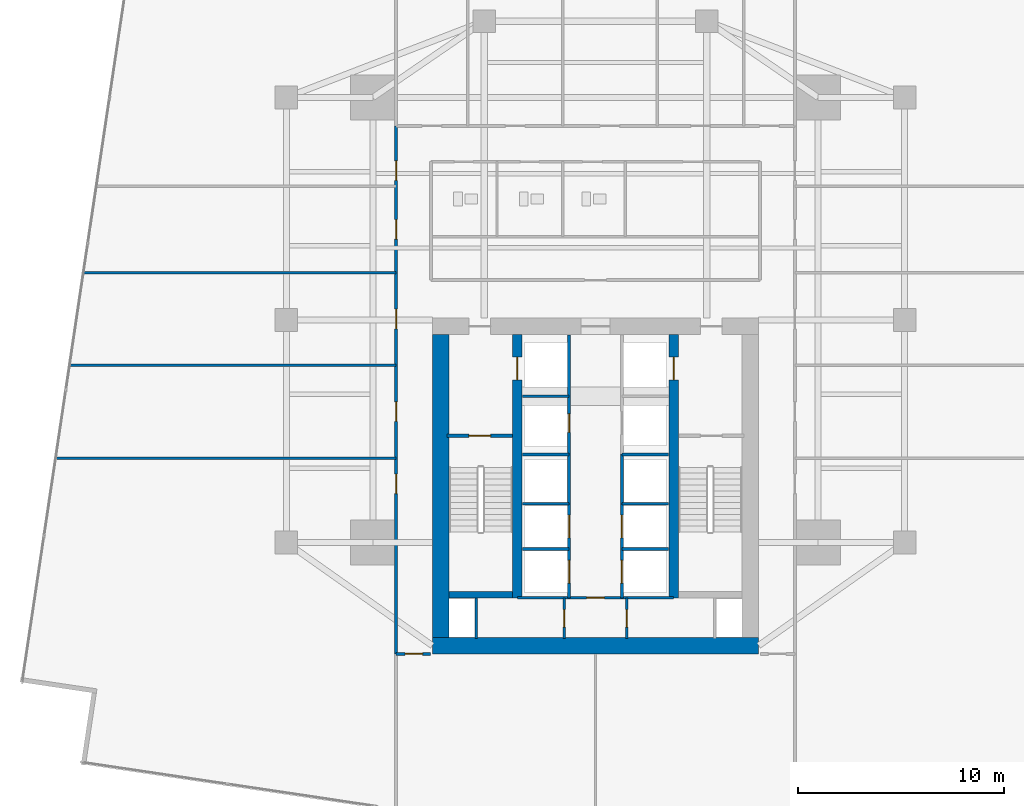
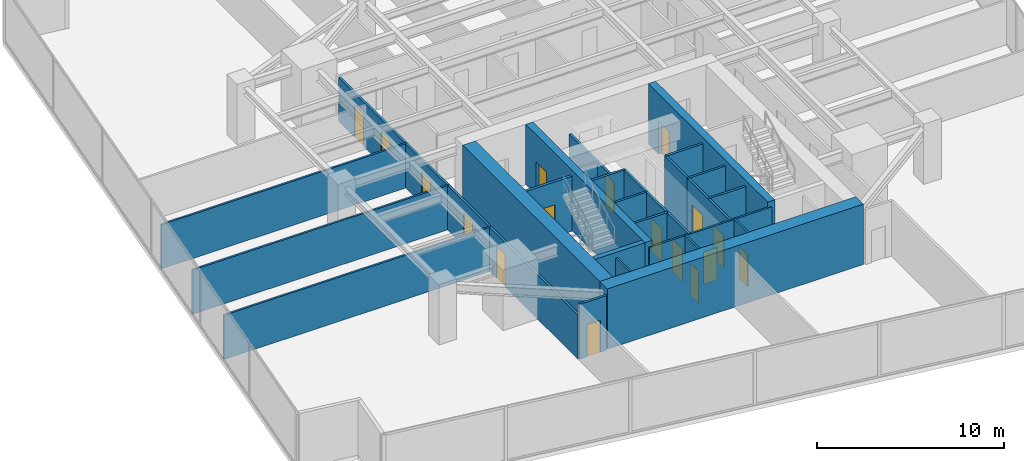
# One storey, part 25 of 29: 27 walls, 17 doors, 17 openings.
"""IFC4 building model written with IfcOpenShell, lengths in metres."""

from ifc_helpers import new_model, si_unit, direction, frame, frame_2d, origin, place, context, subcontext, project, spatial, rectangle, extrude, material, layer, layer_set, type_object, element, fill, save


model = new_model("IFC4")

# Units and contexts
model_context = context("Model", 3, precision=1e-05, world=origin(), true_north=direction((0.0, 1.0)))
body_context = subcontext(model_context, "Body", "Model", "MODEL_VIEW")
ifc_project = project(units=[si_unit("LENGTHUNIT", "METRE"), si_unit("AREAUNIT", "SQUARE_METRE"), si_unit("VOLUMEUNIT", "CUBIC_METRE"), si_unit("PLANEANGLEUNIT", "RADIAN"), si_unit("MASSUNIT", "GRAM", prefix="KILO")], contexts=[model_context])

# Site, building, storey
site_placement = place(None, origin())
site = spatial("IfcSite", under=ifc_project, at=site_placement, CompositionType="ELEMENT")
building_placement = place(site_placement, origin())
building = spatial("IfcBuilding", under=site, at=building_placement, Name="Krantzveldt Concourse Tower", CompositionType="ELEMENT")
storey_placement = place(building_placement, frame((0.0, 0.0, 76.35009765625)))
storey = spatial("IfcBuildingStorey", under=building, at=storey_placement, Name="L18", CompositionType="ELEMENT", Elevation=76.35009765625)

# Wall, opening, door
ifc_material_1 = material(Name="Fire-rated gypsum plasterboard on steel stud", Category="steel")
ifc_layer_1 = layer(ifc_material_1, 0.1201171875, Name="Fire-rated gypsum plasterboard on steel stud", Category="steel")
ifc_layer_set_1 = layer_set([ifc_layer_1], Name="Fire-rated gypsum plasterboard on steel stud (WL-PART-120)")
wall_type_1 = type_object("IfcWallType", Name="WL-PART-120", PredefinedType="PARTITIONING", material=ifc_layer_set_1)
wall_1_placement = place(storey_placement, frame((32.2099609375, 13.219970703125, 0.0), z_axis=(0.0, 0.0, 1.0), x_axis=(1.0, 0.0, 0.0)))
wall_1 = element("IfcWall", 1, at=wall_1_placement, inside=storey, type_object=wall_type_1, Name="WP-L18-CS2H", PredefinedType="PARTITIONING", context=body_context, shape_type="SweptSolid", body=[
    extrude(rectangle(XDim=7.580078125, YDim=0.1201171875, at=frame_2d((3.7900390625, 0.0))), origin(), (0.0, 0.0, 1.0), 3.58984375),
])
opening_1_placement = place(wall_1_placement, frame((3.364990234375, 0.0, 0.0)))
opening_1 = element("IfcOpeningElement", 2, at=opening_1_placement, cuts=wall_1, Name="Opening D-IN085", PredefinedType="OPENING", context=body_context, shape_type="SweptSolid", body=[
    extrude(rectangle(XDim=0.85009765625, YDim=2.10009765625, at=frame_2d((0.425048828125, 1.050048828125))), frame((0.0, 0.070068359375, 0.0), z_axis=(0.0, -1.0, 0.0), x_axis=(1.0, 0.0, 0.0)), (0.0, 0.0, 1.0), 0.14013671875),
])
ifc_material_2 = material(Name="Hardwood timber", Category="wood")
door_type_1 = type_object("IfcDoorType", Name="DR-INT-850", OperationType="SINGLE_SWING_LEFT", PredefinedType="DOOR", material=ifc_material_2)
door_1_placement = place(opening_1_placement, origin())
door_1 = element("IfcDoor", 3, at=door_1_placement, inside=storey, type_object=door_type_1, Name="DR-L18-LLBS", OperationType="SINGLE_SWING_RIGHT", OverallHeight=2.10009765625, OverallWidth=0.85009765625, PredefinedType="DOOR", context=body_context, shape_type="SweptSolid", body=[
    extrude(rectangle(XDim=0.85009765625, YDim=2.10009765625, at=frame_2d((0.425048828125, 1.050048828125))), frame((0.0, 0.02490234375, 0.0), z_axis=(0.0, -1.0, 0.0), x_axis=(1.0, 0.0, 0.0)), (0.0, 0.0, 1.0), 0.050048828125),
])
fill(opening_1, door_1)

wall_2_placement = place(storey_placement, frame((34.47998046875, 11.25, 0.0), z_axis=(0.0, 0.0, 1.0), x_axis=(0.0, 1.0, 0.0)))
wall_2 = element("IfcWall", 4, at=wall_2_placement, inside=storey, type_object=wall_type_1, Name="WP-L18-CSB-VL", PredefinedType="PARTITIONING", context=body_context, shape_type="SweptSolid", body=[
    extrude(rectangle(XDim=1.969970703125, YDim=0.1201171875, at=frame_2d((0.98486328125, 0.0))), origin(), (0.0, 0.0, 1.0), 3.58984375),
])
opening_2_placement = place(wall_2_placement, frame((0.544921875, 0.0, 0.0)))
opening_2 = element("IfcOpeningElement", 5, at=opening_2_placement, cuts=wall_2, Name="Opening D-IN085", PredefinedType="OPENING", context=body_context, shape_type="SweptSolid", body=[
    extrude(rectangle(XDim=0.85009765625, YDim=2.10009765625, at=frame_2d((0.425048828125, 1.050048828125))), frame((0.0, 0.070068359375, 0.0), z_axis=(0.0, -1.0, 0.0), x_axis=(1.0, 0.0, 0.0)), (0.0, 0.0, 1.0), 0.14013671875),
])
door_2_placement = place(opening_2_placement, origin())
door_2 = element("IfcDoor", 6, at=door_2_placement, inside=storey, type_object=door_type_1, Name="DR-L18-CSB1", OperationType="SINGLE_SWING_LEFT", OverallHeight=2.10009765625, OverallWidth=0.85009765625, PredefinedType="DOOR", context=body_context, shape_type="SweptSolid", body=[
    extrude(rectangle(XDim=0.85009765625, YDim=2.10009765625, at=frame_2d((0.425048828125, 1.050048828125))), frame((0.0, 0.02490234375, 0.0), z_axis=(0.0, -1.0, 0.0), x_axis=(1.0, 0.0, 0.0)), (0.0, 0.0, 1.0), 0.050048828125),
])
fill(opening_2, door_2)

wall_3_placement = place(storey_placement, frame((37.52001953125, 11.25, 0.0), z_axis=(0.0, 0.0, 1.0), x_axis=(0.0, 1.0, 0.0)))
wall_3 = element("IfcWall", 7, at=wall_3_placement, inside=storey, type_object=wall_type_1, Name="WP-L18-CSB-VR", PredefinedType="PARTITIONING", context=body_context, shape_type="SweptSolid", body=[
    extrude(rectangle(XDim=1.969970703125, YDim=0.1201171875, at=frame_2d((0.98486328125, 0.0))), origin(), (0.0, 0.0, 1.0), 3.58984375),
])
opening_3_placement = place(wall_3_placement, frame((0.544921875, 0.0, 0.0)))
opening_3 = element("IfcOpeningElement", 8, at=opening_3_placement, cuts=wall_3, Name="Opening D-IN085", PredefinedType="OPENING", context=body_context, shape_type="SweptSolid", body=[
    extrude(rectangle(XDim=0.85009765625, YDim=2.10009765625, at=frame_2d((0.425048828125, 1.050048828125))), frame((0.0, 0.070068359375, 0.0), z_axis=(0.0, -1.0, 0.0), x_axis=(1.0, 0.0, 0.0)), (0.0, 0.0, 1.0), 0.14013671875),
])
door_3_placement = place(opening_3_placement, origin())
door_3 = element("IfcDoor", 9, at=door_3_placement, inside=storey, type_object=door_type_1, Name="DR-L18-CSB2", OperationType="SINGLE_SWING_RIGHT", OverallHeight=2.10009765625, OverallWidth=0.85009765625, PredefinedType="DOOR", context=body_context, shape_type="SweptSolid", body=[
    extrude(rectangle(XDim=0.85009765625, YDim=2.10009765625, at=frame_2d((0.425048828125, 1.050048828125))), frame((0.0, 0.02490234375, 0.0), z_axis=(0.0, -1.0, 0.0), x_axis=(1.0, 0.0, 0.0)), (0.0, 0.0, 1.0), 0.050048828125),
])
fill(opening_3, door_3)

# Walls
wall_4_placement = place(storey_placement, frame((9.81201171875, 20.0, 0.0), z_axis=(0.0, 0.0, 1.0), x_axis=(1.0, 0.0, 0.0)))
element("IfcWall", 10, at=wall_4_placement, inside=storey, type_object=wall_type_1, Name="WP-L18-WD1", PredefinedType="PARTITIONING", context=body_context, shape_type="SweptSolid", body=[
    extrude(rectangle(XDim=16.508056640625, YDim=0.1201171875, at=frame_2d((8.25390625, 0.0))), origin(), (0.0, 0.0, 1.0), 2.889892578125),
])
wall_5_placement = place(storey_placement, frame((10.484619140625, 24.5, 0.0), z_axis=(0.0, 0.0, 1.0), x_axis=(1.0, 0.0, 0.0)))
element("IfcWall", 11, at=wall_5_placement, inside=storey, type_object=wall_type_1, Name="WP-L18-WD2", PredefinedType="PARTITIONING", context=body_context, shape_type="SweptSolid", body=[
    extrude(rectangle(XDim=15.83544921875, YDim=0.1201171875, at=frame_2d((7.917724609375, 0.0))), origin(), (0.0, 0.0, 1.0), 2.889892578125),
])
wall_6_placement = place(storey_placement, frame((11.156982421875, 29.0, 0.0), z_axis=(0.0, 0.0, 1.0), x_axis=(1.0, 0.0, 0.0)))
element("IfcWall", 12, at=wall_6_placement, inside=storey, type_object=wall_type_1, Name="WP-L18-WD3", PredefinedType="PARTITIONING", context=body_context, shape_type="SweptSolid", body=[
    extrude(rectangle(XDim=15.1630859375, YDim=0.1201171875, at=frame_2d((7.58154296875, 0.0))), origin(), (0.0, 0.0, 1.0), 2.889892578125),
])

# Wall, openings, doors
ifc_layer_2 = layer(ifc_material_1, 0.139892578125, Name="Fire-rated gypsum plasterboard on steel stud", Category="steel")
ifc_layer_set_2 = layer_set([ifc_layer_2], Name="Fire-rated gypsum plasterboard on steel stud (WL-PART-140)")
wall_type_2 = type_object("IfcWallType", Name="WL-PART-140", PredefinedType="PARTITIONING", material=ifc_layer_set_2)
wall_7_placement = place(storey_placement, frame((26.320068359375, 10.5, 0.0), z_axis=(0.0, 0.0, 1.0), x_axis=(0.0, 1.0, 0.0)))
wall_7 = element("IfcWall", 13, at=wall_7_placement, inside=storey, type_object=wall_type_2, Name="WP-L18-CWEST", PredefinedType="PARTITIONING", context=body_context, shape_type="SweptSolid", body=[
    extrude(rectangle(XDim=25.6201171875, YDim=0.139892578125, at=frame_2d((12.81005859375, 0.0))), origin(), (0.0, 0.0, 1.0), 2.889892578125),
])
opening_4_placement = place(wall_7_placement, frame((7.77490234375, 0.0, 0.0)))
opening_4 = element("IfcOpeningElement", 14, at=opening_4_placement, cuts=wall_7, Name="Opening D-IN095", PredefinedType="OPENING", context=body_context, shape_type="SweptSolid", body=[
    extrude(rectangle(XDim=0.949951171875, YDim=2.10009765625, at=frame_2d((0.47509765625, 1.050048828125))), frame((0.0, 0.080078125, 0.0), z_axis=(0.0, -1.0, 0.0), x_axis=(1.0, 0.0, 0.0)), (0.0, 0.0, 1.0), 0.159912109375),
])
opening_5_placement = place(wall_7_placement, frame((11.27490234375, 0.0, 0.0)))
opening_5 = element("IfcOpeningElement", 15, at=opening_5_placement, cuts=wall_7, Name="Opening D-IN095", PredefinedType="OPENING", context=body_context, shape_type="SweptSolid", body=[
    extrude(rectangle(XDim=0.949951171875, YDim=2.10009765625, at=frame_2d((0.47509765625, 1.050048828125))), frame((0.0, 0.080078125, 0.0), z_axis=(0.0, -1.0, 0.0), x_axis=(1.0, 0.0, 0.0)), (0.0, 0.0, 1.0), 0.159912109375),
])
opening_6_placement = place(wall_7_placement, frame((15.77490234375, 0.0, 0.0)))
opening_6 = element("IfcOpeningElement", 16, at=opening_6_placement, cuts=wall_7, Name="Opening D-IN095", PredefinedType="OPENING", context=body_context, shape_type="SweptSolid", body=[
    extrude(rectangle(XDim=0.949951171875, YDim=2.10009765625, at=frame_2d((0.47509765625, 1.050048828125))), frame((0.0, 0.080078125, 0.0), z_axis=(0.0, -1.0, 0.0), x_axis=(1.0, 0.0, 0.0)), (0.0, 0.0, 1.0), 0.159912109375),
])
opening_7_placement = place(wall_7_placement, frame((20.125, 0.0, 0.0)))
opening_7 = element("IfcOpeningElement", 17, at=opening_7_placement, cuts=wall_7, Name="Opening D-IN095", PredefinedType="OPENING", context=body_context, shape_type="SweptSolid", body=[
    extrude(rectangle(XDim=0.949951171875, YDim=2.10009765625, at=frame_2d((0.47509765625, 1.050048828125))), frame((0.0, 0.080078125, 0.0), z_axis=(0.0, -1.0, 0.0), x_axis=(1.0, 0.0, 0.0)), (0.0, 0.0, 1.0), 0.159912109375),
])
opening_8_placement = place(wall_7_placement, frame((22.97509765625, 0.0, 0.0)))
opening_8 = element("IfcOpeningElement", 18, at=opening_8_placement, cuts=wall_7, Name="Opening D-IN095", PredefinedType="OPENING", context=body_context, shape_type="SweptSolid", body=[
    extrude(rectangle(XDim=0.949951171875, YDim=2.10009765625, at=frame_2d((0.47509765625, 1.050048828125))), frame((0.0, 0.080078125, 0.0), z_axis=(0.0, -1.0, 0.0), x_axis=(1.0, 0.0, 0.0)), (0.0, 0.0, 1.0), 0.159912109375),
])
door_type_2 = type_object("IfcDoorType", Name="DR-INT-950", OperationType="SINGLE_SWING_LEFT", PredefinedType="DOOR", material=ifc_material_2)
door_4_placement = place(opening_4_placement, origin())
door_4 = element("IfcDoor", 19, at=door_4_placement, inside=storey, type_object=door_type_2, Name="DR-L18-WR1", OperationType="SINGLE_SWING_LEFT", OverallHeight=2.10009765625, OverallWidth=0.949951171875, PredefinedType="DOOR", context=body_context, shape_type="SweptSolid", body=[
    extrude(rectangle(XDim=0.949951171875, YDim=2.10009765625, at=frame_2d((0.47509765625, 1.050048828125))), frame((0.0, 0.02490234375, 0.0), z_axis=(0.0, -1.0, 0.0), x_axis=(1.0, 0.0, 0.0)), (0.0, 0.0, 1.0), 0.050048828125),
])
fill(opening_4, door_4)
door_5_placement = place(opening_5_placement, origin())
door_5 = element("IfcDoor", 20, at=door_5_placement, inside=storey, type_object=door_type_2, Name="DR-L18-WR2", OperationType="SINGLE_SWING_LEFT", OverallHeight=2.10009765625, OverallWidth=0.949951171875, PredefinedType="DOOR", context=body_context, shape_type="SweptSolid", body=[
    extrude(rectangle(XDim=0.949951171875, YDim=2.10009765625, at=frame_2d((0.47509765625, 1.050048828125))), frame((0.0, 0.02490234375, 0.0), z_axis=(0.0, -1.0, 0.0), x_axis=(1.0, 0.0, 0.0)), (0.0, 0.0, 1.0), 0.050048828125),
])
fill(opening_5, door_5)
door_6_placement = place(opening_6_placement, origin())
door_6 = element("IfcDoor", 21, at=door_6_placement, inside=storey, type_object=door_type_2, Name="DR-L18-WR3", OperationType="SINGLE_SWING_LEFT", OverallHeight=2.10009765625, OverallWidth=0.949951171875, PredefinedType="DOOR", context=body_context, shape_type="SweptSolid", body=[
    extrude(rectangle(XDim=0.949951171875, YDim=2.10009765625, at=frame_2d((0.47509765625, 1.050048828125))), frame((0.0, 0.02490234375, 0.0), z_axis=(0.0, -1.0, 0.0), x_axis=(1.0, 0.0, 0.0)), (0.0, 0.0, 1.0), 0.050048828125),
])
fill(opening_6, door_6)
door_7_placement = place(opening_7_placement, origin())
door_7 = element("IfcDoor", 22, at=door_7_placement, inside=storey, type_object=door_type_2, Name="DR-L18-WR4", OperationType="SINGLE_SWING_LEFT", OverallHeight=2.10009765625, OverallWidth=0.949951171875, PredefinedType="DOOR", context=body_context, shape_type="SweptSolid", body=[
    extrude(rectangle(XDim=0.949951171875, YDim=2.10009765625, at=frame_2d((0.47509765625, 1.050048828125))), frame((0.0, 0.02490234375, 0.0), z_axis=(0.0, -1.0, 0.0), x_axis=(1.0, 0.0, 0.0)), (0.0, 0.0, 1.0), 0.050048828125),
])
fill(opening_7, door_7)
door_8_placement = place(opening_8_placement, origin())
door_8 = element("IfcDoor", 23, at=door_8_placement, inside=storey, type_object=door_type_2, Name="DR-L18-WR5", OperationType="SINGLE_SWING_LEFT", OverallHeight=2.10009765625, OverallWidth=0.949951171875, PredefinedType="DOOR", context=body_context, shape_type="SweptSolid", body=[
    extrude(rectangle(XDim=0.949951171875, YDim=2.10009765625, at=frame_2d((0.47509765625, 1.050048828125))), frame((0.0, 0.02490234375, 0.0), z_axis=(0.0, -1.0, 0.0), x_axis=(1.0, 0.0, 0.0)), (0.0, 0.0, 1.0), 0.050048828125),
])
fill(opening_8, door_8)

# Wall, opening, door
wall_8_placement = place(storey_placement, frame((26.320068359375, 10.5, 0.0), z_axis=(0.0, 0.0, 1.0), x_axis=(1.0, 0.0, 0.0)))
wall_8 = element("IfcWall", 24, at=wall_8_placement, inside=storey, type_object=wall_type_2, Name="WP-L18-CWBOT", PredefinedType="PARTITIONING", context=body_context, shape_type="SweptSolid", body=[
    extrude(rectangle(XDim=1.679931640625, YDim=0.139892578125, at=frame_2d((0.83984375, 0.0))), origin(), (0.0, 0.0, 1.0), 3.58984375),
])
opening_9_placement = place(wall_8_placement, frame((0.445068359375, 0.0, 0.0)))
opening_9 = element("IfcOpeningElement", 25, at=opening_9_placement, cuts=wall_8, Name="Opening D-IN085", PredefinedType="OPENING", context=body_context, shape_type="SweptSolid", body=[
    extrude(rectangle(XDim=0.85009765625, YDim=2.10009765625, at=frame_2d((0.425048828125, 1.050048828125))), frame((0.0, 0.080078125, 0.0), z_axis=(0.0, -1.0, 0.0), x_axis=(1.0, 0.0, 0.0)), (0.0, 0.0, 1.0), 0.159912109375),
])
door_9_placement = place(opening_9_placement, origin())
door_9 = element("IfcDoor", 26, at=door_9_placement, inside=storey, type_object=door_type_1, Name="DR-L18-SR1", OperationType="SINGLE_SWING_LEFT", OverallHeight=2.10009765625, OverallWidth=0.85009765625, PredefinedType="DOOR", context=body_context, shape_type="SweptSolid", body=[
    extrude(rectangle(XDim=0.85009765625, YDim=2.10009765625, at=frame_2d((0.425048828125, 1.050048828125))), frame((0.0, 0.02490234375, 0.0), z_axis=(0.0, -1.0, 0.0), x_axis=(1.0, 0.0, 0.0)), (0.0, 0.0, 1.0), 0.050048828125),
])
fill(opening_9, door_9)

ifc_layer_3 = layer(ifc_material_1, 0.139892578125, Name="Fire-rated gypsum plasterboard on steel stud", Category="steel")
ifc_layer_set_3 = layer_set([ifc_layer_3], Name="Fire-rated gypsum plasterboard on steel stud (WL-PART-FR140)")
wall_type_3 = type_object("IfcWallType", Name="WL-PART-FR140", PredefinedType="PARTITIONING", material=ifc_layer_set_3)
wall_9_placement = place(storey_placement, frame((34.719970703125, 20.199951171875, 0.0), z_axis=(0.0, 0.0, 1.0), x_axis=(0.0, 1.0, 0.0)))
wall_9 = element("IfcWall", 27, at=wall_9_placement, inside=storey, type_object=wall_type_3, Name="WP-L18-SHNW", PredefinedType="PARTITIONING", context=body_context, shape_type="SweptSolid", body=[
    extrude(rectangle(XDim=5.780029296875, YDim=0.139892578125, at=frame_2d((2.89013671875, 0.0))), origin(), (0.0, 0.0, 1.0), 2.389892578125),
])
opening_10_placement = place(wall_9_placement, frame((1.050048828125, 0.0, 0.0)))
opening_10 = element("IfcOpeningElement", 28, at=opening_10_placement, cuts=wall_9, Name="Opening D-FD090", PredefinedType="OPENING", context=body_context, shape_type="SweptSolid", body=[
    extrude(rectangle(XDim=0.89990234375, YDim=2.10009765625, at=frame_2d((0.449951171875, 1.050048828125))), frame((0.0, 0.080078125, 0.0), z_axis=(0.0, -1.0, 0.0), x_axis=(1.0, 0.0, 0.0)), (0.0, 0.0, 1.0), 0.159912109375),
])
door_type_3 = type_object("IfcDoorType", Name="DR-FD60-900", OperationType="SINGLE_SWING_LEFT", PredefinedType="DOOR", material=ifc_material_2)
door_10_placement = place(opening_10_placement, origin())
door_10 = element("IfcDoor", 29, at=door_10_placement, inside=storey, type_object=door_type_3, Name="Electrical Riser Access Door L18", OperationType="SINGLE_SWING_LEFT", OverallHeight=2.10009765625, OverallWidth=0.89990234375, PredefinedType="DOOR", context=body_context, shape_type="SweptSolid", body=[
    extrude(rectangle(XDim=0.89990234375, YDim=2.10009765625, at=frame_2d((0.449951171875, 1.050048828125))), frame((0.0, 0.02490234375, 0.0), z_axis=(0.0, -1.0, 0.0), x_axis=(1.0, 0.0, 0.0)), (0.0, 0.0, 1.0), 0.050048828125),
])
fill(opening_10, door_10)

# Walls
wall_10_placement = place(storey_placement, frame((32.449951171875, 23.0, 0.0), z_axis=(0.0, 0.0, 1.0), x_axis=(1.0, 0.0, 0.0)))
element("IfcWall", 30, at=wall_10_placement, inside=storey, type_object=wall_type_3, Name="WP-L18-RISH", PredefinedType="PARTITIONING", context=body_context, shape_type="SweptSolid", body=[
    extrude(rectangle(XDim=2.27001953125, YDim=0.139892578125, at=frame_2d((1.135009765625, 0.0))), origin(), (0.0, 0.0, 1.0), 2.389892578125),
])
for number, where, z_axis, x_axis, name in (
    (31, (34.719970703125, 17.780029296875, 0.0), (0.0, 0.0, 1.0), (0.0, 1.0, 0.0), "WP-L18-SHNW2"),
    (32, (37.280029296875, 17.780029296875, 0.0), (0.0, 0.0, 1.0), (0.0, 1.0, 0.0), "WP-L18-SHNE2"),
):
    element("IfcWall", number, at=place(storey_placement, frame(where, z_axis=z_axis, x_axis=x_axis)), inside=storey, type_object=wall_type_3, Name=name, PredefinedType="PARTITIONING", context=body_context, shape_type="SweptSolid", body=[
        extrude(rectangle(XDim=2.419921875, YDim=0.139892578125, at=frame_2d((1.2099609375, 0.0))), origin(), (0.0, 0.0, 1.0), 3.58984375),
    ])
for number, where, z_axis, x_axis, name in (
    (33, (32.449951171875, 17.780029296875, 0.0), (0.0, 0.0, 1.0), (1.0, 0.0, 0.0), "WP-L18-DIVW2"),
    (34, (32.449951171875, 20.179931640625, 0.0), (0.0, 0.0, 1.0), (1.0, 0.0, 0.0), "WP-L18-DIVW3"),
    (35, (37.280029296875, 17.780029296875, 0.0), (0.0, 0.0, 1.0), (1.0, 0.0, 0.0), "WP-L18-DIVE2"),
    (36, (37.280029296875, 20.179931640625, 0.0), (0.0, 0.0, 1.0), (1.0, 0.0, 0.0), "WP-L18-DIVE3"),
):
    element("IfcWall", number, at=place(storey_placement, frame(where, z_axis=z_axis, x_axis=x_axis)), inside=storey, type_object=wall_type_3, Name=name, PredefinedType="PARTITIONING", context=body_context, shape_type="SweptSolid", body=[
        extrude(rectangle(XDim=2.27001953125, YDim=0.139892578125, at=frame_2d((1.135009765625, 0.0))), origin(), (0.0, 0.0, 1.0), 3.58984375),
    ])

# Wall, openings, doors
wall_11_placement = place(storey_placement, frame((34.719970703125, 13.219970703125, 0.0), z_axis=(0.0, 0.0, 1.0), x_axis=(0.0, 1.0, 0.0)))
wall_11 = element("IfcWall", 37, at=wall_11_placement, inside=storey, type_object=wall_type_3, Name="WP-L18-SHSW", PredefinedType="PARTITIONING", context=body_context, shape_type="SweptSolid", body=[
    extrude(rectangle(XDim=4.56005859375, YDim=0.139892578125, at=frame_2d((2.280029296875, 0.0))), origin(), (0.0, 0.0, 1.0), 3.58984375),
])
opening_11_placement = place(wall_11_placement, frame((0.7099609375, 0.0, 0.0)))
opening_11 = element("IfcOpeningElement", 38, at=opening_11_placement, cuts=wall_11, Name="Opening LD", PredefinedType="OPENING", context=body_context, shape_type="SweptSolid", body=[
    extrude(rectangle(XDim=1.10009765625, YDim=2.14990234375, at=frame_2d((0.550048828125, 1.074951171875))), frame((0.0, 0.080078125, 0.0), z_axis=(0.0, -1.0, 0.0), x_axis=(1.0, 0.0, 0.0)), (0.0, 0.0, 1.0), 0.159912109375),
])
opening_12_placement = place(wall_11_placement, frame((2.909912109375, 0.0, 0.0)))
opening_12 = element("IfcOpeningElement", 39, at=opening_12_placement, cuts=wall_11, Name="Opening LD", PredefinedType="OPENING", context=body_context, shape_type="SweptSolid", body=[
    extrude(rectangle(XDim=1.10009765625, YDim=2.14990234375, at=frame_2d((0.550048828125, 1.074951171875))), frame((0.0, 0.080078125, 0.0), z_axis=(0.0, -1.0, 0.0), x_axis=(1.0, 0.0, 0.0)), (0.0, 0.0, 1.0), 0.159912109375),
])
ifc_material_3 = material(Name="Stainless steel 316L", Category="steel")
door_type_4 = type_object("IfcDoorType", Name="DR-SLIDE-LD1100", OperationType="DOUBLE_DOOR_SLIDING", PredefinedType="DOOR", material=ifc_material_3)
door_11_placement = place(opening_11_placement, origin())
door_11 = element("IfcDoor", 40, at=door_11_placement, inside=storey, type_object=door_type_4, Name="LD-L18-PL1", OperationType="DOUBLE_DOOR_SLIDING", OverallHeight=2.14990234375, OverallWidth=1.10009765625, PredefinedType="DOOR", context=body_context, shape_type="SweptSolid", body=[
    extrude(rectangle(XDim=1.10009765625, YDim=2.14990234375, at=frame_2d((0.550048828125, 1.074951171875))), frame((0.0, 0.02490234375, 0.0), z_axis=(0.0, -1.0, 0.0), x_axis=(1.0, 0.0, 0.0)), (0.0, 0.0, 1.0), 0.050048828125),
])
fill(opening_11, door_11)
door_12_placement = place(opening_12_placement, origin())
door_12 = element("IfcDoor", 41, at=door_12_placement, inside=storey, type_object=door_type_4, Name="LD-L18-PL2", OperationType="DOUBLE_DOOR_SLIDING", OverallHeight=2.14990234375, OverallWidth=1.10009765625, PredefinedType="DOOR", context=body_context, shape_type="SweptSolid", body=[
    extrude(rectangle(XDim=1.10009765625, YDim=2.14990234375, at=frame_2d((0.550048828125, 1.074951171875))), frame((0.0, 0.02490234375, 0.0), z_axis=(0.0, -1.0, 0.0), x_axis=(1.0, 0.0, 0.0)), (0.0, 0.0, 1.0), 0.050048828125),
])
fill(opening_12, door_12)

# Wall
wall_12_placement = place(storey_placement, frame((32.449951171875, 15.580078125, 0.0), z_axis=(0.0, 0.0, 1.0), x_axis=(1.0, 0.0, 0.0)))
element("IfcWall", 42, at=wall_12_placement, inside=storey, type_object=wall_type_3, Name="WP-L18-DIVW1", PredefinedType="PARTITIONING", context=body_context, shape_type="SweptSolid", body=[
    extrude(rectangle(XDim=2.27001953125, YDim=0.139892578125, at=frame_2d((1.135009765625, 0.0))), origin(), (0.0, 0.0, 1.0), 3.58984375),
])

# Wall, openings, doors
wall_13_placement = place(storey_placement, frame((37.280029296875, 13.219970703125, 0.0), z_axis=(0.0, 0.0, 1.0), x_axis=(0.0, 1.0, 0.0)))
wall_13 = element("IfcWall", 43, at=wall_13_placement, inside=storey, type_object=wall_type_3, Name="WP-L18-SHSE", PredefinedType="PARTITIONING", context=body_context, shape_type="SweptSolid", body=[
    extrude(rectangle(XDim=4.56005859375, YDim=0.139892578125, at=frame_2d((2.280029296875, 0.0))), origin(), (0.0, 0.0, 1.0), 3.58984375),
])
opening_13_placement = place(wall_13_placement, frame((0.7099609375, 0.0, 0.0)))
opening_13 = element("IfcOpeningElement", 44, at=opening_13_placement, cuts=wall_13, Name="Opening LD", PredefinedType="OPENING", context=body_context, shape_type="SweptSolid", body=[
    extrude(rectangle(XDim=1.10009765625, YDim=2.14990234375, at=frame_2d((0.550048828125, 1.074951171875))), frame((0.0, 0.080078125, 0.0), z_axis=(0.0, -1.0, 0.0), x_axis=(1.0, 0.0, 0.0)), (0.0, 0.0, 1.0), 0.159912109375),
])
opening_14_placement = place(wall_13_placement, frame((2.909912109375, 0.0, 0.0)))
opening_14 = element("IfcOpeningElement", 45, at=opening_14_placement, cuts=wall_13, Name="Opening LD", PredefinedType="OPENING", context=body_context, shape_type="SweptSolid", body=[
    extrude(rectangle(XDim=1.10009765625, YDim=2.14990234375, at=frame_2d((0.550048828125, 1.074951171875))), frame((0.0, 0.080078125, 0.0), z_axis=(0.0, -1.0, 0.0), x_axis=(1.0, 0.0, 0.0)), (0.0, 0.0, 1.0), 0.159912109375),
])
door_13_placement = place(opening_13_placement, origin())
door_13 = element("IfcDoor", 46, at=door_13_placement, inside=storey, type_object=door_type_4, Name="LD-L18-PM1", OperationType="DOUBLE_DOOR_SLIDING", OverallHeight=2.14990234375, OverallWidth=1.10009765625, PredefinedType="DOOR", context=body_context, shape_type="SweptSolid", body=[
    extrude(rectangle(XDim=1.10009765625, YDim=2.14990234375, at=frame_2d((0.550048828125, 1.074951171875))), frame((0.0, 0.02490234375, 0.0), z_axis=(0.0, -1.0, 0.0), x_axis=(1.0, 0.0, 0.0)), (0.0, 0.0, 1.0), 0.050048828125),
])
fill(opening_13, door_13)
door_14_placement = place(opening_14_placement, origin())
door_14 = element("IfcDoor", 47, at=door_14_placement, inside=storey, type_object=door_type_4, Name="LD-L18-PM2", OperationType="DOUBLE_DOOR_SLIDING", OverallHeight=2.14990234375, OverallWidth=1.10009765625, PredefinedType="DOOR", context=body_context, shape_type="SweptSolid", body=[
    extrude(rectangle(XDim=1.10009765625, YDim=2.14990234375, at=frame_2d((0.550048828125, 1.074951171875))), frame((0.0, 0.02490234375, 0.0), z_axis=(0.0, -1.0, 0.0), x_axis=(1.0, 0.0, 0.0)), (0.0, 0.0, 1.0), 0.050048828125),
])
fill(opening_14, door_14)

# Walls
wall_14_placement = place(storey_placement, frame((37.280029296875, 15.580078125, 0.0), z_axis=(0.0, 0.0, 1.0), x_axis=(1.0, 0.0, 0.0)))
element("IfcWall", 48, at=wall_14_placement, inside=storey, type_object=wall_type_3, Name="WP-L18-DIVE1", PredefinedType="PARTITIONING", context=body_context, shape_type="SweptSolid", body=[
    extrude(rectangle(XDim=2.27001953125, YDim=0.139892578125, at=frame_2d((1.135009765625, 0.0))), origin(), (0.0, 0.0, 1.0), 3.58984375),
])
wall_15_placement = place(storey_placement, frame((30.219970703125, 11.25, 0.0), z_axis=(0.0, 0.0, 1.0), x_axis=(0.0, 1.0, 0.0)))
element("IfcWall", 49, at=wall_15_placement, inside=storey, type_object=wall_type_3, Name="WP-L18-RSW", PredefinedType="PARTITIONING", context=body_context, shape_type="SweptSolid", body=[
    extrude(rectangle(XDim=1.969970703125, YDim=0.1201171875, at=frame_2d((0.98486328125, 0.0))), origin(), (0.0, 0.0, 1.0), 3.58984375),
])

# Wall, opening, door
ifc_layer_4 = layer(ifc_material_1, 0.159912109375, Name="Fire-rated gypsum plasterboard on steel stud", Category="steel")
ifc_layer_set_4 = layer_set([ifc_layer_4], Name="Fire-rated gypsum plasterboard on steel stud (WL-PART-FR160)")
wall_type_4 = type_object("IfcWallType", Name="WL-PART-FR160", PredefinedType="PARTITIONING", material=ifc_layer_set_4)
wall_16_placement = place(storey_placement, frame((28.800048828125, 21.080078125, 0.0), z_axis=(0.0, 0.0, 1.0), x_axis=(1.0, 0.0, 0.0)))
wall_16 = element("IfcWall", 50, at=wall_16_placement, inside=storey, type_object=wall_type_4, Name="WP-L18-ST1", PredefinedType="PARTITIONING", context=body_context, shape_type="SweptSolid", body=[
    extrude(rectangle(XDim=3.159912109375, YDim=0.159912109375, at=frame_2d((1.580078125, 0.0))), origin(), (0.0, 0.0, 1.0), 3.58984375),
])
opening_15_placement = place(wall_16_placement, frame((1.054931640625, 0.0, 0.0)))
opening_15 = element("IfcOpeningElement", 51, at=opening_15_placement, cuts=wall_16, Name="Opening D-FD105", PredefinedType="OPENING", context=body_context, shape_type="SweptSolid", body=[
    extrude(rectangle(XDim=1.050048828125, YDim=2.10009765625, at=frame_2d((0.52490234375, 1.050048828125))), frame((0.0, 0.08984375, 0.0), z_axis=(0.0, -1.0, 0.0), x_axis=(1.0, 0.0, 0.0)), (0.0, 0.0, 1.0), 0.179931640625),
])
ifc_material_4 = material(Name="Galvanised steel", Category="steel")
door_type_5 = type_object("IfcDoorType", Name="DR-FD120-1050", OperationType="SINGLE_SWING_LEFT", PredefinedType="DOOR", material=ifc_material_4)
door_15_placement = place(opening_15_placement, origin())
door_15 = element("IfcDoor", 52, at=door_15_placement, inside=storey, type_object=door_type_5, Name="DR-L18-ST1", OperationType="SINGLE_SWING_RIGHT", OverallHeight=2.10009765625, OverallWidth=1.050048828125, PredefinedType="DOOR", context=body_context, shape_type="SweptSolid", body=[
    extrude(rectangle(XDim=1.050048828125, YDim=2.10009765625, at=frame_2d((0.52490234375, 1.050048828125))), frame((0.0, 0.02490234375, 0.0), z_axis=(0.0, -1.0, 0.0), x_axis=(1.0, 0.0, 0.0)), (0.0, 0.0, 1.0), 0.050048828125),
])
fill(opening_15, door_15)

# Wall
ifc_material_5 = material(Name="Concrete C50/60", Category="concrete")
ifc_layer_5 = layer(ifc_material_5, 0.300048828125, Name="Concrete C50/60", Category="concrete")
ifc_layer_set_5 = layer_set([ifc_layer_5], Name="Concrete C50/60 (WL-SHEAR-300)")
wall_type_5 = type_object("IfcWallType", Name="WL-SHEAR-300", PredefinedType="SHEAR", material=ifc_layer_set_5)
wall_17_placement = place(storey_placement, frame((28.8798828125, 13.3701171875, 0.0), z_axis=(0.0, 0.0, 1.0), x_axis=(1.0, 0.0, 0.0)))
element("IfcWall", 53, at=wall_17_placement, inside=storey, type_object=wall_type_5, Name="CW-L18-ST1S", PredefinedType="SHEAR", context=body_context, shape_type="SweptSolid", body=[
    extrude(rectangle(XDim=3.10009765625, YDim=0.300048828125, at=frame_2d((1.550048828125, 0.0))), origin(), (0.0, 0.0, 1.0), 3.949951171875),
])

# Wall, opening, door
ifc_layer_6 = layer(ifc_material_5, 0.449951171875, Name="Concrete C50/60", Category="concrete")
ifc_layer_set_6 = layer_set([ifc_layer_6], Name="Concrete C50/60 (WL-SHEAR-450)")
wall_type_6 = type_object("IfcWallType", Name="WL-SHEAR-450", PredefinedType="SHEAR", material=ifc_layer_set_6)
wall_18_placement = place(storey_placement, frame((32.205078125, 13.219970703125, 0.0), z_axis=(0.0, 0.0, 1.0), x_axis=(0.0, 1.0, 0.0)))
wall_18 = element("IfcWall", 54, at=wall_18_placement, inside=storey, type_object=wall_type_6, Name="CW-L18-IW", PredefinedType="SHEAR", context=body_context, shape_type="SweptSolid", body=[
    extrude(rectangle(XDim=12.780029296875, YDim=0.449951171875, at=frame_2d((6.39013671875, 0.0))), origin(), (0.0, 0.0, 1.0), 3.949951171875),
])
opening_16_placement = place(wall_18_placement, frame((10.580078125, 0.0, 0.0)))
opening_16 = element("IfcOpeningElement", 55, at=opening_16_placement, cuts=wall_18, Name="Opening LD", PredefinedType="OPENING", context=body_context, shape_type="SweptSolid", body=[
    extrude(rectangle(XDim=1.10009765625, YDim=2.14990234375, at=frame_2d((0.550048828125, 1.074951171875))), frame((0.0, 0.23486328125, 0.0), z_axis=(0.0, -1.0, 0.0), x_axis=(1.0, 0.0, 0.0)), (0.0, 0.0, 1.0), 0.469970703125),
])
door_16_placement = place(opening_16_placement, origin())
door_16 = element("IfcDoor", 56, at=door_16_placement, inside=storey, type_object=door_type_4, Name="LD-L18-FL1", OperationType="DOUBLE_DOOR_SLIDING", OverallHeight=2.14990234375, OverallWidth=1.10009765625, PredefinedType="DOOR", context=body_context, shape_type="SweptSolid", body=[
    extrude(rectangle(XDim=1.10009765625, YDim=2.14990234375, at=frame_2d((0.550048828125, 1.074951171875))), frame((0.0, 0.02490234375, 0.0), z_axis=(0.0, -1.0, 0.0), x_axis=(1.0, 0.0, 0.0)), (0.0, 0.0, 1.0), 0.050048828125),
])
fill(opening_16, door_16)

wall_19_placement = place(storey_placement, frame((39.794921875, 13.219970703125, 0.0), z_axis=(0.0, 0.0, 1.0), x_axis=(0.0, 1.0, 0.0)))
wall_19 = element("IfcWall", 57, at=wall_19_placement, inside=storey, type_object=wall_type_6, Name="CW-L18-IE", PredefinedType="SHEAR", context=body_context, shape_type="SweptSolid", body=[
    extrude(rectangle(XDim=12.780029296875, YDim=0.449951171875, at=frame_2d((6.39013671875, 0.0))), origin(), (0.0, 0.0, 1.0), 3.949951171875),
])
opening_17_placement = place(wall_19_placement, frame((10.580078125, 0.0, 0.0)))
opening_17 = element("IfcOpeningElement", 58, at=opening_17_placement, cuts=wall_19, Name="Opening LD", PredefinedType="OPENING", context=body_context, shape_type="SweptSolid", body=[
    extrude(rectangle(XDim=1.10009765625, YDim=2.14990234375, at=frame_2d((0.550048828125, 1.074951171875))), frame((0.0, 0.23486328125, 0.0), z_axis=(0.0, -1.0, 0.0), x_axis=(1.0, 0.0, 0.0)), (0.0, 0.0, 1.0), 0.469970703125),
])
door_17_placement = place(opening_17_placement, origin())
door_17 = element("IfcDoor", 59, at=door_17_placement, inside=storey, type_object=door_type_4, Name="LD-L18-FL2", OperationType="DOUBLE_DOOR_SLIDING", OverallHeight=2.14990234375, OverallWidth=1.10009765625, PredefinedType="DOOR", context=body_context, shape_type="SweptSolid", body=[
    extrude(rectangle(XDim=1.10009765625, YDim=2.14990234375, at=frame_2d((0.550048828125, 1.074951171875))), frame((0.0, 0.02490234375, 0.0), z_axis=(0.0, -1.0, 0.0), x_axis=(1.0, 0.0, 0.0)), (0.0, 0.0, 1.0), 0.050048828125),
])
fill(opening_17, door_17)

# Walls
ifc_material_6 = material(Name="Concrete C60/75", Category="concrete")
ifc_layer_7 = layer(ifc_material_6, 0.800048828125, Name="Concrete C60/75", Category="concrete")
ifc_layer_set_7 = layer_set([ifc_layer_7], Name="Concrete C60/75 (WL-SHEAR-800)")
wall_type_7 = type_object("IfcWallType", Name="WL-SHEAR-800", PredefinedType="SHEAR", material=ifc_layer_set_7)
wall_20_placement = place(storey_placement, frame((28.080078125, 10.89990234375, 0.0), z_axis=(0.0, 0.0, 1.0), x_axis=(1.0, 0.0, 0.0)))
element("IfcWall", 60, at=wall_20_placement, inside=storey, type_object=wall_type_7, Name="CW-L18-S", PredefinedType="SHEAR", context=body_context, shape_type="SweptSolid", body=[
    extrude(rectangle(XDim=15.83984375, YDim=0.800048828125, at=frame_2d((7.919921875, 0.0))), origin(), (0.0, 0.0, 1.0), 3.949951171875),
])
wall_21_placement = place(storey_placement, frame((28.47998046875, 11.300048828125, 0.0), z_axis=(0.0, 0.0, 1.0), x_axis=(0.0, 1.0, 0.0)))
element("IfcWall", 61, at=wall_21_placement, inside=storey, type_object=wall_type_7, Name="CW-L18-W", PredefinedType="SHEAR", context=body_context, shape_type="SweptSolid", body=[
    extrude(rectangle(XDim=14.699951171875, YDim=0.800048828125, at=frame_2d((7.35009765625, 0.0))), origin(), (0.0, 0.0, 1.0), 3.949951171875),
])

save(model, "model.ifc")
